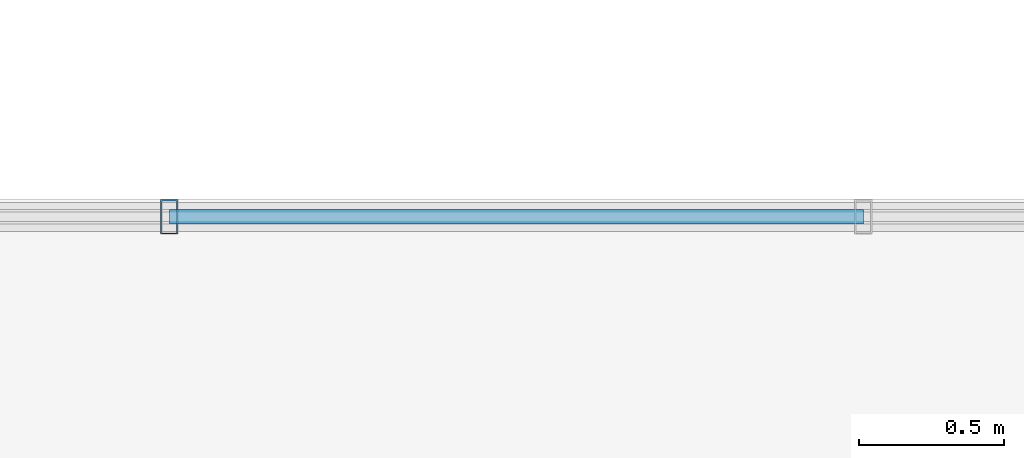
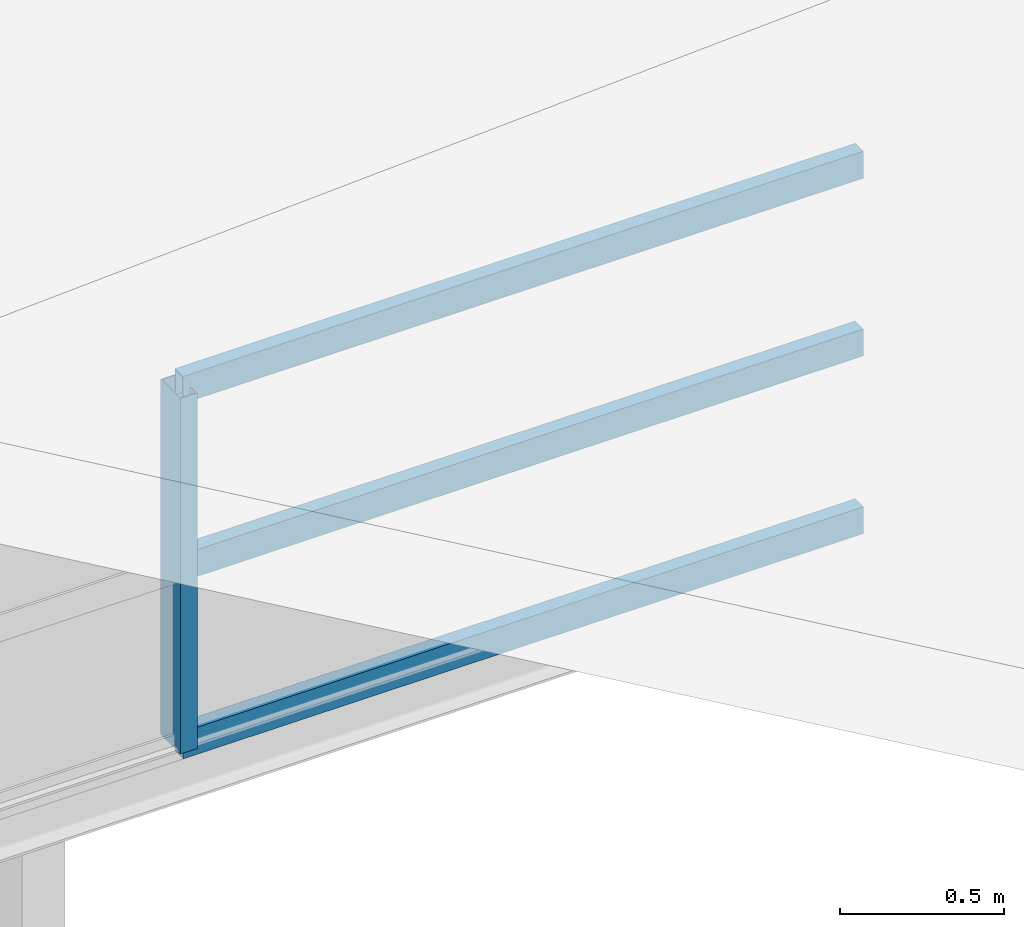
# One storey, part 31 of 141: 4 members, 1 element without a shape of its own.
"""IFC4 building model written with IfcOpenShell, lengths in metres."""

from ifc_helpers import new_model, si_unit, direction, frame, origin, origin_2d, place, context, subcontext, project, spatial, hollow_rectangle, extrude, material, material_profile, profile_set, type_object, element, aggregate, save


model = new_model("IFC4")

# Units and contexts
model_context = context("Model", 3, precision=1e-05, world=origin(), true_north=direction((0.0, 1.0)))
body_context = subcontext(model_context, "Body", "Model", "MODEL_VIEW")
ifc_project = project(units=[si_unit("LENGTHUNIT", "METRE"), si_unit("AREAUNIT", "SQUARE_METRE"), si_unit("VOLUMEUNIT", "CUBIC_METRE"), si_unit("PLANEANGLEUNIT", "RADIAN"), si_unit("MASSUNIT", "GRAM", prefix="KILO")], contexts=[model_context])

# Site, building, storey
site_placement = place(None, origin())
site = spatial("IfcSite", under=ifc_project, at=site_placement, CompositionType="ELEMENT")
building_placement = place(site_placement, origin())
building = spatial("IfcBuilding", under=site, at=building_placement, Name="Sundkrona Museum", CompositionType="ELEMENT")
storey_placement = place(building_placement, frame((0.0, 0.0, 34.0)))
storey = spatial("IfcBuildingStorey", under=building, at=storey_placement, Name="RF", CompositionType="ELEMENT", Elevation=34.0)

# Curtain wall, members
ifc_material_1 = material(Name="Unitised Aluminium-Steel and Ceramic-Clad Curtain Walling", Category="steel")
curtain_wall_type = type_object("IfcCurtainWallType", Name="CW-SW-240x13", PredefinedType="NOTDEFINED", material=ifc_material_1)
curtain_wall_placement = place(storey_placement, origin())
curtain_wall = element("IfcCurtainWall", 1, at=curtain_wall_placement, inside=storey, type_object=curtain_wall_type, Name="Sawtooth Bay 4 West North-Light Clerestory", PredefinedType="NOTDEFINED")
ifc_material_2 = material(Name="Aluminium EN AW-6060 T66", Category="aluminium")
ifc_material_profile_1 = material_profile(ifc_material_2, hollow_rectangle(XDim=0.06005859375, YDim=0.1201171875, WallThickness=0.0048828125, at=origin_2d()), Name="RHS 120x60x5.0")
ifc_profile_set_1 = profile_set([ifc_material_profile_1], Name="Aluminium EN AW-6060 T66")
member_type_1 = type_object("IfcMemberType", Name="ML-120", PredefinedType="MULLION", material=ifc_profile_set_1)
member_1_placement = place(storey_placement, frame((127.219970703125, 26.5, 3.472900390625), z_axis=(0.0, 0.0, 1.0), x_axis=(1.0, 0.0, 0.0)))
member_1 = element("IfcMember", 2, at=member_1_placement, type_object=member_type_1, Name="CW-RF-SAW-04W Mullion 04", PredefinedType="MULLION", context=body_context, shape_type="SweptSolid", body=[
    extrude(hollow_rectangle(XDim=0.06005859375, YDim=0.1201171875, WallThickness=0.0048828125, at=origin_2d()), origin(), (0.0, 0.0, 1.0), 1.320068359375),
])
ifc_material_profile_2 = material_profile(ifc_material_2, hollow_rectangle(XDim=0.050048828125, YDim=0.10009765625, WallThickness=0.0048828125, at=origin_2d()), Name="RHS 100x50x5.0")
ifc_profile_set_2 = profile_set([ifc_material_profile_2], Name="Aluminium EN AW-6060 T66")
member_type_2 = type_object("IfcMemberType", Name="TR-100", PredefinedType="USERDEFINED", material=ifc_profile_set_2)
member_2_placement = place(storey_placement, frame((127.219970703125, 26.5, 3.472900390625), z_axis=(1.0, 0.0, 0.0), x_axis=(0.0, 1.0, 0.0)))
member_2 = element("IfcMember", 3, at=member_2_placement, type_object=member_type_2, Name="CW-RF-SAW-04W Transom 10", ObjectType="TRANSOM", PredefinedType="USERDEFINED", context=body_context, shape_type="SweptSolid", body=[
    extrude(hollow_rectangle(XDim=0.050048828125, YDim=0.10009765625, WallThickness=0.0048828125, at=origin_2d()), origin(), (0.0, 0.0, 1.0), 2.39013671875),
])
member_3_placement = place(storey_placement, frame((127.219970703125, 26.5, 4.133056640625), z_axis=(1.0, 0.0, 0.0), x_axis=(0.0, 1.0, 0.0)))
member_3 = element("IfcMember", 4, at=member_3_placement, type_object=member_type_2, Name="CW-RF-SAW-04W Transom 11", ObjectType="TRANSOM", PredefinedType="USERDEFINED", context=body_context, shape_type="SweptSolid", body=[
    extrude(hollow_rectangle(XDim=0.050048828125, YDim=0.10009765625, WallThickness=0.0048828125, at=origin_2d()), origin(), (0.0, 0.0, 1.0), 2.39013671875),
])
member_4_placement = place(storey_placement, frame((127.219970703125, 26.5, 4.79296875), z_axis=(1.0, 0.0, 0.0), x_axis=(0.0, 1.0, 0.0)))
member_4 = element("IfcMember", 5, at=member_4_placement, type_object=member_type_2, Name="CW-RF-SAW-04W Transom 12", ObjectType="TRANSOM", PredefinedType="USERDEFINED", context=body_context, shape_type="SweptSolid", body=[
    extrude(hollow_rectangle(XDim=0.050048828125, YDim=0.10009765625, WallThickness=0.0048828125, at=origin_2d()), origin(), (0.0, 0.0, 1.0), 2.39013671875),
])
aggregate(curtain_wall, [member_1, member_2, member_3, member_4])

save(model, "model.ifc")
